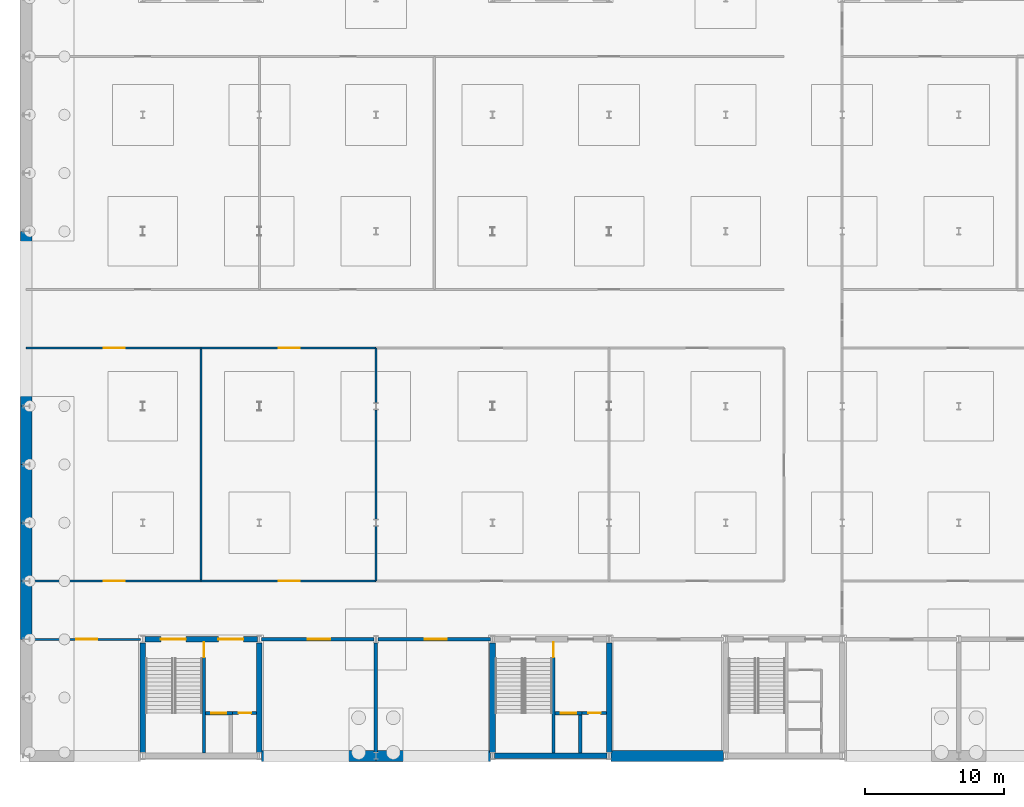
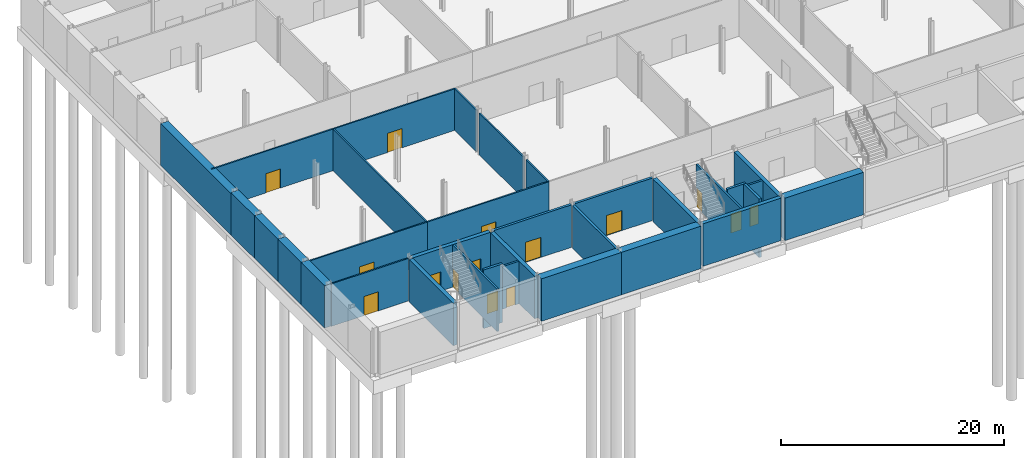
# One storey, part 12 of 22: 33 walls, 15 doors, 15 openings.
"""IFC4 building model written with IfcOpenShell, lengths in metres."""

from ifc_helpers import new_model, si_unit, direction, frame, frame_2d, origin, place, context, subcontext, project, spatial, rectangle, extrude, material, layer, layer_set, type_object, element, fill, save


model = new_model("IFC4")

# Units and contexts
model_context = context("Model", 3, precision=1e-05, world=origin(), true_north=direction((0.0, 1.0)))
body_context = subcontext(model_context, "Body", "Model", "MODEL_VIEW")
ifc_project = project(units=[si_unit("LENGTHUNIT", "METRE"), si_unit("AREAUNIT", "SQUARE_METRE"), si_unit("VOLUMEUNIT", "CUBIC_METRE"), si_unit("PLANEANGLEUNIT", "RADIAN"), si_unit("MASSUNIT", "GRAM", prefix="KILO")], contexts=[model_context])

# Site, building, storey
site_placement = place(None, origin())
site = spatial("IfcSite", under=ifc_project, at=site_placement, CompositionType="ELEMENT")
building_placement = place(site_placement, origin())
building = spatial("IfcBuilding", under=site, at=building_placement, Name="Galleria Vessillo Department Store", CompositionType="ELEMENT")
storey_placement = place(building_placement, frame((0.0, 0.0, -9.89990234375)))
storey = spatial("IfcBuildingStorey", under=building, at=storey_placement, Name="B2", CompositionType="ELEMENT", Elevation=-9.89990234375)

# Walls
ifc_material_1 = material(Name="Concrete C32/40 reinforced", Category="concrete")
ifc_layer_1 = layer(ifc_material_1, 0.800048828125)
ifc_layer_set_1 = layer_set([ifc_layer_1], Name="Concrete C32/40 reinforced")
wall_type_1 = type_object("IfcWallType", Name="Diaphragm wall 800 mm", PredefinedType="SOLIDWALL", material=ifc_layer_set_1)
wall_1_placement = place(storey_placement, frame((16.949951171875, 0.0, 0.0), z_axis=(0.0, 0.0, 1.0), x_axis=(1.0, 0.0, 0.0)))
element("IfcWall", 1, at=wall_1_placement, inside=storey, type_object=wall_type_1, Name="S-BW-S-B2-02", PredefinedType="SOLIDWALL", context=body_context, shape_type="SweptSolid", body=[
    extrude(rectangle(XDim=8.25, YDim=0.800048828125, at=frame_2d((4.125, 0.0))), origin(), (0.0, 0.0, 1.0), 4.64990234375),
])
wall_2_placement = place(storey_placement, frame((25.199951171875, 0.0, 0.0), z_axis=(0.0, 0.0, 1.0), x_axis=(1.0, 0.0, 0.0)))
element("IfcWall", 2, at=wall_2_placement, inside=storey, type_object=wall_type_1, Name="S-BW-S-B2-03", PredefinedType="SOLIDWALL", context=body_context, shape_type="SweptSolid", body=[
    extrude(rectangle(XDim=8.250244140625, YDim=0.800048828125, at=frame_2d((4.125, 0.0))), origin(), (0.0, 0.0, 1.0), 4.64990234375),
])
wall_3_placement = place(storey_placement, frame((42.14990234375, 0.0, 0.0), z_axis=(0.0, 0.0, 1.0), x_axis=(1.0, 0.0, 0.0)))
element("IfcWall", 3, at=wall_3_placement, inside=storey, type_object=wall_type_1, Name="S-BW-S-B2-04", PredefinedType="SOLIDWALL", context=body_context, shape_type="SweptSolid", body=[
    extrude(rectangle(XDim=8.10009765625, YDim=0.800048828125, at=frame_2d((4.050048828125, 0.0))), origin(), (0.0, 0.0, 1.0), 4.64990234375),
])
wall_4_placement = place(storey_placement, frame((0.0, 8.39990234375, 0.0), z_axis=(0.0, 0.0, 1.0), x_axis=(0.0, 1.0, 0.0)))
element("IfcWall", 4, at=wall_4_placement, inside=storey, type_object=wall_type_1, Name="S-BW-W-B2-03", PredefinedType="SOLIDWALL", context=body_context, shape_type="SweptSolid", body=[
    extrude(rectangle(XDim=4.2001953125, YDim=0.800048828125, at=frame_2d((2.10009765625, 0.0))), origin(), (0.0, 0.0, 1.0), 4.64990234375),
])
for number, where, z_axis, x_axis, name in (
    (5, (0.0, 12.60009765625, 0.0), (0.0, 0.0, 1.0), (0.0, 1.0, 0.0), "S-BW-W-B2-04"),
    (6, (0.0, 16.800048828125, 0.0), (0.0, 0.0, 1.0), (0.0, 1.0, 0.0), "S-BW-W-B2-05"),
    (7, (0.0, 21.0, 0.0), (0.0, 0.0, 1.0), (0.0, 1.0, 0.0), "S-BW-W-B2-06"),
):
    element("IfcWall", number, at=place(storey_placement, frame(where, z_axis=z_axis, x_axis=x_axis)), inside=storey, type_object=wall_type_1, Name=name, PredefinedType="SOLIDWALL", context=body_context, shape_type="SweptSolid", body=[
        extrude(rectangle(XDim=4.199951171875, YDim=0.800048828125, at=frame_2d((2.10009765625, 0.0))), origin(), (0.0, 0.0, 1.0), 4.64990234375),
    ])
wall_5_placement = place(storey_placement, frame((0.0, 25.199951171875, 0.0), z_axis=(0.0, 0.0, 1.0), x_axis=(0.0, 1.0, 0.0)))
element("IfcWall", 8, at=wall_5_placement, inside=storey, type_object=wall_type_1, Name="S-BW-W-B2-07", PredefinedType="SOLIDWALL", context=body_context, shape_type="SweptSolid", body=[
    extrude(rectangle(XDim=12.60009765625, YDim=0.800048828125, at=frame_2d((6.300048828125, 0.0))), origin(), (0.0, 0.0, 1.0), 4.550048828125),
])

# Wall, opening, door
ifc_material_2 = material(Name="Solid clay block masonry", Category="masonry")
ifc_layer_2 = layer(ifc_material_2, 0.25)
ifc_layer_set_2 = layer_set([ifc_layer_2], Name="Solid clay block masonry")
wall_type_2 = type_object("IfcWallType", Name="Lift shaft wall 250 mm", PredefinedType="SOLIDWALL", material=ifc_layer_set_2)
wall_6_placement = place(storey_placement, frame((12.89990234375, 3.074951171875, -1.400146484375), z_axis=(0.0, 0.0, 1.0), x_axis=(1.0, 0.0, 0.0)))
wall_6 = element("IfcWall", 9, at=wall_6_placement, inside=storey, type_object=wall_type_2, Name="Lift shaft wall LP1 landing side B2", PredefinedType="SOLIDWALL", context=body_context, shape_type="SweptSolid", body=[
    extrude(rectangle(XDim=1.9501953125, YDim=0.25, at=frame_2d((0.97509765625, 0.0))), origin(), (0.0, 0.0, 1.0), 6.400146484375),
])
opening_1_placement = place(wall_6_placement, frame((0.425048828125, 0.0, 1.400146484375)))
opening_1 = element("IfcOpeningElement", 10, at=opening_1_placement, cuts=wall_6, Name="Opening LD001", PredefinedType="OPENING", context=body_context, shape_type="SweptSolid", body=[
    extrude(rectangle(XDim=1.10009765625, YDim=2.10009765625, at=frame_2d((0.550048828125, 1.050048828125))), frame((0.0, 0.135009765625, 0.0), z_axis=(0.0, -1.0, 0.0), x_axis=(1.0, 0.0, 0.0)), (0.0, 0.0, 1.0), 0.27001953125),
])
ifc_material_3 = material(Name="Stainless steel lift door panel", Category="steel")
door_type_1 = type_object("IfcDoorType", Name="Lift landing door LD110 sliding 1100 x 2100", OperationType="SLIDING_TO_LEFT", PredefinedType="DOOR", material=ifc_material_3)
door_1_placement = place(opening_1_placement, origin())
door_1 = element("IfcDoor", 11, at=door_1_placement, inside=storey, type_object=door_type_1, Name="Lift landing door LP1 B2", OperationType="SLIDING_TO_LEFT", OverallHeight=2.10009765625, OverallWidth=1.10009765625, PredefinedType="DOOR", context=body_context, shape_type="SweptSolid", body=[
    extrude(rectangle(XDim=1.10009765625, YDim=2.10009765625, at=frame_2d((0.550048828125, 1.050048828125))), frame((0.0, 0.02490234375, 0.0), z_axis=(0.0, -1.0, 0.0), x_axis=(1.0, 0.0, 0.0)), (0.0, 0.0, 1.0), 0.050048828125),
])
fill(opening_1, door_1)

wall_7_placement = place(storey_placement, frame((38.10009765625, 3.074951171875, -1.400146484375), z_axis=(0.0, 0.0, 1.0), x_axis=(1.0, 0.0, 0.0)))
wall_7 = element("IfcWall", 12, at=wall_7_placement, inside=storey, type_object=wall_type_2, Name="Lift shaft wall LP3 landing side B2", PredefinedType="SOLIDWALL", context=body_context, shape_type="SweptSolid", body=[
    extrude(rectangle(XDim=1.949951171875, YDim=0.25, at=frame_2d((0.97509765625, 0.0))), origin(), (0.0, 0.0, 1.0), 6.400146484375),
])
opening_2_placement = place(wall_7_placement, frame((0.4248046875, 0.0, 1.400146484375)))
opening_2 = element("IfcOpeningElement", 13, at=opening_2_placement, cuts=wall_7, Name="Opening LD017", PredefinedType="OPENING", context=body_context, shape_type="SweptSolid", body=[
    extrude(rectangle(XDim=1.10009765625, YDim=2.10009765625, at=frame_2d((0.550048828125, 1.050048828125))), frame((0.0, 0.135009765625, 0.0), z_axis=(0.0, -1.0, 0.0), x_axis=(1.0, 0.0, 0.0)), (0.0, 0.0, 1.0), 0.27001953125),
])
door_2_placement = place(opening_2_placement, origin())
door_2 = element("IfcDoor", 14, at=door_2_placement, inside=storey, type_object=door_type_1, Name="Lift landing door LP3 B2", OperationType="SLIDING_TO_LEFT", OverallHeight=2.10009765625, OverallWidth=1.10009765625, PredefinedType="DOOR", context=body_context, shape_type="SweptSolid", body=[
    extrude(rectangle(XDim=1.10009765625, YDim=2.10009765625, at=frame_2d((0.550048828125, 1.050048828125))), frame((0.0, 0.02490234375, 0.0), z_axis=(0.0, -1.0, 0.0), x_axis=(1.0, 0.0, 0.0)), (0.0, 0.0, 1.0), 0.050048828125),
])
fill(opening_2, door_2)

# Wall
wall_8_placement = place(storey_placement, frame((39.925048828125, 0.199951171875, -1.400146484375), z_axis=(0.0, 0.0, 1.0), x_axis=(0.0, 1.0, 0.0)))
element("IfcWall", 15, at=wall_8_placement, inside=storey, type_object=wall_type_2, Name="Lift shaft wall LP3 B2", PredefinedType="SOLIDWALL", context=body_context, shape_type="SweptSolid", body=[
    extrude(rectangle(XDim=2.75, YDim=0.25, at=frame_2d((1.375, 0.0))), origin(), (0.0, 0.0, 1.0), 6.400146484375),
])

# Wall, opening, door
ifc_material_4 = material(Name="Brick masonry", Category="masonry")
ifc_layer_3 = layer(ifc_material_4, 0.25)
ifc_layer_set_3 = layer_set([ifc_layer_3], Name="Brick masonry")
wall_type_3 = type_object("IfcWallType", Name="Plant room masonry wall 250 mm", PredefinedType="SOLIDWALL", material=ifc_layer_set_3)
wall_9_placement = place(storey_placement, frame((16.949951171875, 8.39990234375, 0.0), z_axis=(0.0, 0.0, 1.0), x_axis=(1.0, 0.0, 0.0)))
wall_9 = element("IfcWall", 16, at=wall_9_placement, inside=storey, type_object=wall_type_3, Name="Partition wall PT10 on B2 no. 015", PredefinedType="SOLIDWALL", context=body_context, shape_type="SweptSolid", body=[
    extrude(rectangle(XDim=8.10009765625, YDim=0.25, at=frame_2d((4.050048828125, 0.0))), origin(), (0.0, 0.0, 1.0), 4.64990234375),
])
opening_3_placement = place(wall_9_placement, frame((3.35009765625, 0.0, 0.0)))
opening_3 = element("IfcOpeningElement", 17, at=opening_3_placement, cuts=wall_9, Name="Opening D2010", PredefinedType="OPENING", context=body_context, shape_type="SweptSolid", body=[
    extrude(rectangle(XDim=1.60009765625, YDim=2.199951171875, at=frame_2d((0.800048828125, 1.10009765625))), frame((0.0, 0.135009765625, 0.0), z_axis=(0.0, -1.0, 0.0), x_axis=(1.0, 0.0, 0.0)), (0.0, 0.0, 1.0), 0.27001953125),
])
ifc_material_5 = material(Name="Steel fire door leaf", Category="steel")
door_type_2 = type_object("IfcDoorType", Name="Plant room fire door 1600 x 2200 double leaf", OperationType="DOUBLE_DOOR_SINGLE_SWING", PredefinedType="DOOR", material=ifc_material_5)
door_3_placement = place(opening_3_placement, frame((1.60009765625, 0.0, 0.0), z_axis=(0.0, 0.0, 1.0), x_axis=(-1.0, 0.0, 0.0)))
door_3 = element("IfcDoor", 18, at=door_3_placement, inside=storey, type_object=door_type_2, Name="Door D2010", OperationType="DOUBLE_DOOR_SINGLE_SWING", OverallHeight=2.199951171875, OverallWidth=1.60009765625, PredefinedType="DOOR", context=body_context, shape_type="SweptSolid", body=[
    extrude(rectangle(XDim=1.60009765625, YDim=2.199951171875, at=frame_2d((0.800048828125, 1.10009765625))), frame((0.0, 0.02490234375, 0.0), z_axis=(0.0, -1.0, 0.0), x_axis=(1.0, 0.0, 0.0)), (0.0, 0.0, 1.0), 0.050048828125),
])
fill(opening_3, door_3)

wall_10_placement = place(storey_placement, frame((25.349853515625, 8.39990234375, 0.0), z_axis=(0.0, 0.0, 1.0), x_axis=(1.0, 0.0, 0.0)))
wall_10 = element("IfcWall", 19, at=wall_10_placement, inside=storey, type_object=wall_type_3, Name="Partition wall PT10 on B2 no. 016", PredefinedType="SOLIDWALL", context=body_context, shape_type="SweptSolid", body=[
    extrude(rectangle(XDim=8.100341796875, YDim=0.25, at=frame_2d((4.05029296875, 0.0))), origin(), (0.0, 0.0, 1.0), 4.64990234375),
])
opening_4_placement = place(wall_10_placement, frame((3.35009765625, 0.0, 0.0)))
opening_4 = element("IfcOpeningElement", 20, at=opening_4_placement, cuts=wall_10, Name="Opening D2011", PredefinedType="OPENING", context=body_context, shape_type="SweptSolid", body=[
    extrude(rectangle(XDim=1.60009765625, YDim=2.199951171875, at=frame_2d((0.800048828125, 1.10009765625))), frame((0.0, 0.135009765625, 0.0), z_axis=(0.0, -1.0, 0.0), x_axis=(1.0, 0.0, 0.0)), (0.0, 0.0, 1.0), 0.27001953125),
])
door_4_placement = place(opening_4_placement, frame((1.60009765625, 0.0, 0.0), z_axis=(0.0, 0.0, 1.0), x_axis=(-1.0, 0.0, 0.0)))
door_4 = element("IfcDoor", 21, at=door_4_placement, inside=storey, type_object=door_type_2, Name="Door D2011", OperationType="DOUBLE_DOOR_SINGLE_SWING", OverallHeight=2.199951171875, OverallWidth=1.60009765625, PredefinedType="DOOR", context=body_context, shape_type="SweptSolid", body=[
    extrude(rectangle(XDim=1.60009765625, YDim=2.199951171875, at=frame_2d((0.800048828125, 1.10009765625))), frame((0.0, 0.02490234375, 0.0), z_axis=(0.0, -1.0, 0.0), x_axis=(1.0, 0.0, 0.0)), (0.0, 0.0, 1.0), 0.050048828125),
])
fill(opening_4, door_4)

# Wall
wall_11_placement = place(storey_placement, frame((25.199951171875, 0.25, 0.0), z_axis=(0.0, 0.0, 1.0), x_axis=(0.0, 1.0, 0.0)))
element("IfcWall", 22, at=wall_11_placement, inside=storey, type_object=wall_type_3, Name="Partition wall PT10 on B2 no. 071", PredefinedType="SOLIDWALL", context=body_context, shape_type="SweptSolid", body=[
    extrude(rectangle(XDim=7.89990234375, YDim=0.25, at=frame_2d((3.949951171875, 0.0))), origin(), (0.0, 0.0, 1.0), 4.64990234375),
])

# Wall, openings, doors
ifc_material_6 = material(Name="Concrete C32/40 reinforced", Category="concrete")
ifc_layer_4 = layer(ifc_material_6, 0.39990234375)
ifc_layer_set_4 = layer_set([ifc_layer_4], Name="Concrete C32/40 reinforced")
wall_type_4 = type_object("IfcWallType", Name="Reinforced concrete core wall 400 mm", PredefinedType="SHEAR", material=ifc_layer_set_4)
wall_12_placement = place(storey_placement, frame((8.5498046875, 8.39990234375, 0.0), z_axis=(0.0, 0.0, 1.0), x_axis=(1.0, 0.0, 0.0)))
wall_12 = element("IfcWall", 23, at=wall_12_placement, inside=storey, type_object=wall_type_4, Name="S-CW-PC-SW-INTERIOR-B2", PredefinedType="SHEAR", context=body_context, shape_type="SweptSolid", body=[
    extrude(rectangle(XDim=8.100341796875, YDim=0.39990234375, at=frame_2d((4.05029296875, 0.0))), origin(), (0.0, 0.0, 1.0), 4.64990234375),
])
opening_5_placement = place(wall_12_placement, frame((1.150146484375, 0.0, 0.0)))
opening_5 = element("IfcOpeningElement", 24, at=opening_5_placement, cuts=wall_12, Name="Opening D5003", PredefinedType="OPENING", context=body_context, shape_type="SweptSolid", body=[
    extrude(rectangle(XDim=1.800048828125, YDim=2.10009765625, at=frame_2d((0.89990234375, 1.050048828125))), frame((0.0, 0.2099609375, 0.0), z_axis=(0.0, -1.0, 0.0), x_axis=(1.0, 0.0, 0.0)), (0.0, 0.0, 1.0), 0.419921875),
])
opening_6_placement = place(wall_12_placement, frame((5.300048828125, 0.0, 0.0)))
opening_6 = element("IfcOpeningElement", 25, at=opening_6_placement, cuts=wall_12, Name="Opening D5004", PredefinedType="OPENING", context=body_context, shape_type="SweptSolid", body=[
    extrude(rectangle(XDim=1.800048828125, YDim=2.10009765625, at=frame_2d((0.89990234375, 1.050048828125))), frame((0.0, 0.2099609375, 0.0), z_axis=(0.0, -1.0, 0.0), x_axis=(1.0, 0.0, 0.0)), (0.0, 0.0, 1.0), 0.419921875),
])
ifc_material_7 = material(Name="Fire-rated steel door leaf", Category="steel")
door_type_3 = type_object("IfcDoorType", Name="Door D180F double leaf 1800 x 2100", OperationType="DOUBLE_DOOR_SINGLE_SWING", PredefinedType="DOOR", material=ifc_material_7)
door_5_placement = place(opening_5_placement, frame((1.800048828125, 0.0, 0.0), z_axis=(0.0, 0.0, 1.0), x_axis=(-1.0, 0.0, 0.0)))
door_5 = element("IfcDoor", 26, at=door_5_placement, inside=storey, type_object=door_type_3, Name="Lobby door PC-SW-ST-FLOOR B2", OperationType="DOUBLE_DOOR_SINGLE_SWING", OverallHeight=2.10009765625, OverallWidth=1.800048828125, PredefinedType="DOOR", context=body_context, shape_type="SweptSolid", body=[
    extrude(rectangle(XDim=1.800048828125, YDim=2.10009765625, at=frame_2d((0.89990234375, 1.050048828125))), frame((0.0, 0.02490234375, 0.0), z_axis=(0.0, -1.0, 0.0), x_axis=(1.0, 0.0, 0.0)), (0.0, 0.0, 1.0), 0.050048828125),
])
fill(opening_5, door_5)
door_6_placement = place(opening_6_placement, origin())
door_6 = element("IfcDoor", 27, at=door_6_placement, inside=storey, type_object=door_type_3, Name="Lobby door PC-SW-LOBBY-FLOOR B2", OperationType="DOUBLE_DOOR_SINGLE_SWING", OverallHeight=2.10009765625, OverallWidth=1.800048828125, PredefinedType="DOOR", context=body_context, shape_type="SweptSolid", body=[
    extrude(rectangle(XDim=1.800048828125, YDim=2.10009765625, at=frame_2d((0.89990234375, 1.050048828125))), frame((0.0, 0.02490234375, 0.0), z_axis=(0.0, -1.0, 0.0), x_axis=(1.0, 0.0, 0.0)), (0.0, 0.0, 1.0), 0.050048828125),
])
fill(opening_6, door_6)

# Walls
for number, where, z_axis, x_axis, name in (
    (28, (16.800048828125, 0.25, 0.0), (0.0, 0.0, 1.0), (0.0, 1.0, 0.0), "S-CW-PC-SW-EAST-B2"),
    (29, (33.60009765625, 0.25, 0.0), (0.0, 0.0, 1.0), (0.0, 1.0, 0.0), "S-CW-PC-SM-WEST-B2"),
    (30, (42.0, 0.25, 0.0), (0.0, 0.0, 1.0), (0.0, 1.0, 0.0), "S-CW-PC-SM-EAST-B2"),
):
    element("IfcWall", number, at=place(storey_placement, frame(where, z_axis=z_axis, x_axis=x_axis)), inside=storey, type_object=wall_type_4, Name=name, PredefinedType="SHEAR", context=body_context, shape_type="SweptSolid", body=[
        extrude(rectangle(XDim=7.89990234375, YDim=0.39990234375, at=frame_2d((3.949951171875, 0.0))), origin(), (0.0, 0.0, 1.0), 4.64990234375),
    ])
ifc_material_8 = material(Name="Concrete C32/40 reinforced", Category="concrete")
ifc_layer_5 = layer(ifc_material_8, 0.39990234375)
ifc_layer_set_5 = layer_set([ifc_layer_5], Name="Concrete C32/40 reinforced")
wall_type_5 = type_object("IfcWallType", Name="Reinforced concrete core wall 400 mm, external", PredefinedType="SHEAR", material=ifc_layer_set_5)
wall_13_placement = place(storey_placement, frame((8.39990234375, 0.25, 0.0), z_axis=(0.0, 0.0, 1.0), x_axis=(0.0, 1.0, 0.0)))
element("IfcWall", 31, at=wall_13_placement, inside=storey, type_object=wall_type_5, Name="S-CW-PC-SW-WEST-B2", PredefinedType="SHEAR", context=body_context, shape_type="SweptSolid", body=[
    extrude(rectangle(XDim=7.89990234375, YDim=0.39990234375, at=frame_2d((3.949951171875, 0.0))), origin(), (0.0, 0.0, 1.0), 4.64990234375),
])
wall_14_placement = place(storey_placement, frame((33.75, 0.0, 0.0), z_axis=(0.0, 0.0, 1.0), x_axis=(1.0, 0.0, 0.0)))
element("IfcWall", 32, at=wall_14_placement, inside=storey, type_object=wall_type_5, Name="S-CW-PC-SM-PARTY-B2", PredefinedType="SHEAR", context=body_context, shape_type="SweptSolid", body=[
    extrude(rectangle(XDim=8.10009765625, YDim=0.39990234375, at=frame_2d((4.050048828125, 0.0))), origin(), (0.0, 0.0, 1.0), 4.64990234375),
])

# Wall, opening, door
ifc_material_9 = material(Name="Concrete C32/40 reinforced", Category="concrete")
ifc_layer_6 = layer(ifc_material_9, 0.199951171875)
ifc_layer_set_6 = layer_set([ifc_layer_6], Name="Concrete C32/40 reinforced")
wall_type_6 = type_object("IfcWallType", Name="Reinforced concrete stair enclosure wall 200 mm", PredefinedType="SHEAR", material=ifc_layer_set_6)
wall_15_placement = place(storey_placement, frame((12.7998046875, 0.199951171875, 0.0), z_axis=(0.0, 0.0, 1.0), x_axis=(0.0, 1.0, 0.0)))
wall_15 = element("IfcWall", 33, at=wall_15_placement, inside=storey, type_object=wall_type_6, Name="Stair enclosure wall PC-SW B2", PredefinedType="SHEAR", context=body_context, shape_type="SweptSolid", body=[
    extrude(rectangle(XDim=8.0, YDim=0.199951171875, at=frame_2d((4.0, 0.0))), origin(), (0.0, 0.0, 1.0), 4.64990234375),
])
opening_7_placement = place(wall_15_placement, frame((6.89990234375, 0.0, 0.0)))
opening_7 = element("IfcOpeningElement", 34, at=opening_7_placement, cuts=wall_15, Name="Opening D5001", PredefinedType="OPENING", context=body_context, shape_type="SweptSolid", body=[
    extrude(rectangle(XDim=1.11009765625, YDim=2.10009765625, at=frame_2d((0.554931640625, 1.050048828125))), frame((0.0, 0.10986328125, 0.0), z_axis=(0.0, -1.0, 0.0), x_axis=(1.0, 0.0, 0.0)), (0.0, 0.0, 1.0), 0.219970703125),
])
ifc_material_10 = material(Name="Fire-rated steel door leaf", Category="steel")
door_type_4 = type_object("IfcDoorType", Name="Door D110F stair door 1100 x 2100", OperationType="SINGLE_SWING_LEFT", PredefinedType="DOOR", material=ifc_material_10)
door_7_placement = place(opening_7_placement, origin())
door_7 = element("IfcDoor", 35, at=door_7_placement, inside=storey, type_object=door_type_4, Name="Stair door PC-SW-ST-LOBBY B2", OperationType="SINGLE_SWING_RIGHT", OverallHeight=2.10009765625, OverallWidth=1.10009765625, PredefinedType="DOOR", context=body_context, shape_type="SweptSolid", body=[
    extrude(rectangle(XDim=1.10009765625, YDim=2.10009765625, at=frame_2d((0.550048828125, 1.050048828125))), frame((0.0, 0.02490234375, 0.0), z_axis=(0.0, -1.0, 0.0), x_axis=(1.0, 0.0, 0.0)), (0.0, 0.0, 1.0), 0.050048828125),
])
fill(opening_7, door_7)

wall_16_placement = place(storey_placement, frame((38.0, 0.199951171875, 0.0), z_axis=(0.0, 0.0, 1.0), x_axis=(0.0, 1.0, 0.0)))
wall_16 = element("IfcWall", 36, at=wall_16_placement, inside=storey, type_object=wall_type_6, Name="Stair enclosure wall PC-SM B2", PredefinedType="SHEAR", context=body_context, shape_type="SweptSolid", body=[
    extrude(rectangle(XDim=8.0, YDim=0.199951171875, at=frame_2d((4.0, 0.0))), origin(), (0.0, 0.0, 1.0), 4.64990234375),
])
opening_8_placement = place(wall_16_placement, frame((6.89990234375, 0.0, 0.0)))
opening_8 = element("IfcOpeningElement", 37, at=opening_8_placement, cuts=wall_16, Name="Opening D5065", PredefinedType="OPENING", context=body_context, shape_type="SweptSolid", body=[
    extrude(rectangle(XDim=1.11009765625, YDim=2.10009765625, at=frame_2d((0.554931640625, 1.050048828125))), frame((0.0, 0.10986328125, 0.0), z_axis=(0.0, -1.0, 0.0), x_axis=(1.0, 0.0, 0.0)), (0.0, 0.0, 1.0), 0.219970703125),
])
door_8_placement = place(opening_8_placement, origin())
door_8 = element("IfcDoor", 38, at=door_8_placement, inside=storey, type_object=door_type_4, Name="Stair door PC-SM-ST-LOBBY B2", OperationType="SINGLE_SWING_RIGHT", OverallHeight=2.10009765625, OverallWidth=1.10009765625, PredefinedType="DOOR", context=body_context, shape_type="SweptSolid", body=[
    extrude(rectangle(XDim=1.10009765625, YDim=2.10009765625, at=frame_2d((0.550048828125, 1.050048828125))), frame((0.0, 0.02490234375, 0.0), z_axis=(0.0, -1.0, 0.0), x_axis=(1.0, 0.0, 0.0)), (0.0, 0.0, 1.0), 0.050048828125),
])
fill(opening_8, door_8)

ifc_material_11 = material(Name="Hollow clay block masonry", Category="masonry")
ifc_layer_7 = layer(ifc_material_11, 0.199951171875)
ifc_layer_set_7 = layer_set([ifc_layer_7], Name="Hollow clay block masonry")
wall_type_7 = type_object("IfcWallType", Name="Riser and service room wall 200 mm", PredefinedType="PARTITIONING", material=ifc_layer_set_7)
wall_17_placement = place(storey_placement, frame((14.85009765625, 3.099853515625, 0.0), z_axis=(0.0, 0.0, 1.0), x_axis=(1.0, 0.0, 0.0)))
wall_17 = element("IfcWall", 39, at=wall_17_placement, inside=storey, type_object=wall_type_7, Name="Riser wall PC-SW-RISER B2", PredefinedType="PARTITIONING", context=body_context, shape_type="SweptSolid", body=[
    extrude(rectangle(XDim=1.75, YDim=0.199951171875, at=frame_2d((0.875, 0.0))), origin(), (0.0, 0.0, 1.0), 4.64990234375),
])
opening_9_placement = place(wall_17_placement, frame((0.449951171875, 0.0, 0.0)))
opening_9 = element("IfcOpeningElement", 40, at=opening_9_placement, cuts=wall_17, Name="Opening D5002", PredefinedType="OPENING", context=body_context, shape_type="SweptSolid", body=[
    extrude(rectangle(XDim=0.89990234375, YDim=2.10009765625, at=frame_2d((0.449951171875, 1.050048828125))), frame((0.0, 0.10986328125, 0.0), z_axis=(0.0, -1.0, 0.0), x_axis=(1.0, 0.0, 0.0)), (0.0, 0.0, 1.0), 0.219970703125),
])
ifc_material_12 = material(Name="Fire-rated steel door leaf", Category="steel")
door_type_5 = type_object("IfcDoorType", Name="Door DR90 riser access 900 x 2100", OperationType="SINGLE_SWING_LEFT", PredefinedType="DOOR", material=ifc_material_12)
door_9_placement = place(opening_9_placement, frame((0.89990234375, 0.0, 0.0), z_axis=(0.0, 0.0, 1.0), x_axis=(-1.0, 0.0, 0.0)))
door_9 = element("IfcDoor", 41, at=door_9_placement, inside=storey, type_object=door_type_5, Name="Riser door PC-SW-RISER-D B2", OperationType="SINGLE_SWING_LEFT", OverallHeight=2.10009765625, OverallWidth=0.89990234375, PredefinedType="DOOR", context=body_context, shape_type="SweptSolid", body=[
    extrude(rectangle(XDim=0.89990234375, YDim=2.10009765625, at=frame_2d((0.449951171875, 1.050048828125))), frame((0.0, 0.02490234375, 0.0), z_axis=(0.0, -1.0, 0.0), x_axis=(1.0, 0.0, 0.0)), (0.0, 0.0, 1.0), 0.050048828125),
])
fill(opening_9, door_9)

wall_18_placement = place(storey_placement, frame((40.050048828125, 3.099853515625, 0.0), z_axis=(0.0, 0.0, 1.0), x_axis=(1.0, 0.0, 0.0)))
wall_18 = element("IfcWall", 42, at=wall_18_placement, inside=storey, type_object=wall_type_7, Name="Riser wall PC-SM-RISER B2", PredefinedType="PARTITIONING", context=body_context, shape_type="SweptSolid", body=[
    extrude(rectangle(XDim=1.75, YDim=0.199951171875, at=frame_2d((0.875, 0.0))), origin(), (0.0, 0.0, 1.0), 4.64990234375),
])
opening_10_placement = place(wall_18_placement, frame((0.449951171875, 0.0, 0.0)))
opening_10 = element("IfcOpeningElement", 43, at=opening_10_placement, cuts=wall_18, Name="Opening D5066", PredefinedType="OPENING", context=body_context, shape_type="SweptSolid", body=[
    extrude(rectangle(XDim=0.89990234375, YDim=2.10009765625, at=frame_2d((0.449951171875, 1.050048828125))), frame((0.0, 0.10986328125, 0.0), z_axis=(0.0, -1.0, 0.0), x_axis=(1.0, 0.0, 0.0)), (0.0, 0.0, 1.0), 0.219970703125),
])
door_10_placement = place(opening_10_placement, frame((0.89990234375, 0.0, 0.0), z_axis=(0.0, 0.0, 1.0), x_axis=(-1.0, 0.0, 0.0)))
door_10 = element("IfcDoor", 44, at=door_10_placement, inside=storey, type_object=door_type_5, Name="Riser door PC-SM-RISER-D B2", OperationType="SINGLE_SWING_LEFT", OverallHeight=2.10009765625, OverallWidth=0.89990234375, PredefinedType="DOOR", context=body_context, shape_type="SweptSolid", body=[
    extrude(rectangle(XDim=0.89990234375, YDim=2.10009765625, at=frame_2d((0.449951171875, 1.050048828125))), frame((0.0, 0.02490234375, 0.0), z_axis=(0.0, -1.0, 0.0), x_axis=(1.0, 0.0, 0.0)), (0.0, 0.0, 1.0), 0.050048828125),
])
fill(opening_10, door_10)

ifc_material_13 = material(Name="Concrete blockwork", Category="masonry")
ifc_layer_8 = layer(ifc_material_13, 0.14990234375)
ifc_layer_set_8 = layer_set([ifc_layer_8], Name="Concrete blockwork")
wall_type_8 = type_object("IfcWallType", Name="Stockroom blockwork wall 150 mm", PredefinedType="SOLIDWALL", material=ifc_layer_set_8)
wall_19_placement = place(storey_placement, frame((0.25, 8.39990234375, 0.0), z_axis=(0.0, 0.0, 1.0), x_axis=(1.0, 0.0, 0.0)))
wall_19 = element("IfcWall", 45, at=wall_19_placement, inside=storey, type_object=wall_type_8, Name="Partition wall PT4 on B2 no. 014", PredefinedType="SOLIDWALL", context=body_context, shape_type="SweptSolid", body=[
    extrude(rectangle(XDim=8.0, YDim=0.14990234375, at=frame_2d((4.0, 0.0))), origin(), (0.0, 0.0, 1.0), 4.64990234375),
])
opening_11_placement = place(wall_19_placement, frame((3.35009765625, 0.0, 0.0)))
opening_11 = element("IfcOpeningElement", 46, at=opening_11_placement, cuts=wall_19, Name="Opening D2009", PredefinedType="OPENING", context=body_context, shape_type="SweptSolid", body=[
    extrude(rectangle(XDim=1.5, YDim=2.10009765625, at=frame_2d((0.75, 1.050048828125))), frame((0.0, 0.0849609375, 0.0), z_axis=(0.0, -1.0, 0.0), x_axis=(1.0, 0.0, 0.0)), (0.0, 0.0, 1.0), 0.169921875),
])
ifc_material_14 = material(Name="Steel fire door leaf", Category="steel")
door_type_6 = type_object("IfcDoorType", Name="Stockroom fire door 1500 double leaf", OperationType="DOUBLE_DOOR_SINGLE_SWING", PredefinedType="DOOR", material=ifc_material_14)
door_11_placement = place(opening_11_placement, frame((1.5, 0.0, 0.0), z_axis=(0.0, 0.0, 1.0), x_axis=(-1.0, 0.0, 0.0)))
door_11 = element("IfcDoor", 47, at=door_11_placement, inside=storey, type_object=door_type_6, Name="Door D2009", OperationType="DOUBLE_DOOR_SINGLE_SWING", OverallHeight=2.10009765625, OverallWidth=1.5, PredefinedType="DOOR", context=body_context, shape_type="SweptSolid", body=[
    extrude(rectangle(XDim=1.5, YDim=2.10009765625, at=frame_2d((0.75, 1.050048828125))), frame((0.0, 0.02490234375, 0.0), z_axis=(0.0, -1.0, 0.0), x_axis=(1.0, 0.0, 0.0)), (0.0, 0.0, 1.0), 0.050048828125),
])
fill(opening_11, door_11)

wall_20_placement = place(storey_placement, frame((0.25, 12.60009765625, 0.0), z_axis=(0.0, 0.0, 1.0), x_axis=(1.0, 0.0, 0.0)))
wall_20 = element("IfcWall", 48, at=wall_20_placement, inside=storey, type_object=wall_type_8, Name="Partition wall PT4 on B2 no. 018", PredefinedType="SOLIDWALL", context=body_context, shape_type="SweptSolid", body=[
    extrude(rectangle(XDim=12.35009765625, YDim=0.14990234375, at=frame_2d((6.175048828125, 0.0))), origin(), (0.0, 0.0, 1.0), 4.550048828125),
])
opening_12_placement = place(wall_20_placement, frame((5.35009765625, 0.0, 0.0)))
opening_12 = element("IfcOpeningElement", 49, at=opening_12_placement, cuts=wall_20, Name="Opening D2013", PredefinedType="OPENING", context=body_context, shape_type="SweptSolid", body=[
    extrude(rectangle(XDim=1.5, YDim=2.10009765625, at=frame_2d((0.75, 1.050048828125))), frame((0.0, 0.0849609375, 0.0), z_axis=(0.0, -1.0, 0.0), x_axis=(1.0, 0.0, 0.0)), (0.0, 0.0, 1.0), 0.169921875),
])
door_12_placement = place(opening_12_placement, origin())
door_12 = element("IfcDoor", 50, at=door_12_placement, inside=storey, type_object=door_type_6, Name="Door D2013", OperationType="DOUBLE_DOOR_SINGLE_SWING", OverallHeight=2.10009765625, OverallWidth=1.5, PredefinedType="DOOR", context=body_context, shape_type="SweptSolid", body=[
    extrude(rectangle(XDim=1.5, YDim=2.10009765625, at=frame_2d((0.75, 1.050048828125))), frame((0.0, 0.02490234375, 0.0), z_axis=(0.0, -1.0, 0.0), x_axis=(1.0, 0.0, 0.0)), (0.0, 0.0, 1.0), 0.050048828125),
])
fill(opening_12, door_12)

wall_21_placement = place(storey_placement, frame((12.60009765625, 12.60009765625, 0.0), z_axis=(0.0, 0.0, 1.0), x_axis=(1.0, 0.0, 0.0)))
wall_21 = element("IfcWall", 51, at=wall_21_placement, inside=storey, type_object=wall_type_8, Name="Partition wall PT4 on B2 no. 019", PredefinedType="SOLIDWALL", context=body_context, shape_type="SweptSolid", body=[
    extrude(rectangle(XDim=12.599853515625, YDim=0.14990234375, at=frame_2d((6.2998046875, 0.0))), origin(), (0.0, 0.0, 1.0), 4.550048828125),
])
opening_13_placement = place(wall_21_placement, frame((5.60009765625, 0.0, 0.0)))
opening_13 = element("IfcOpeningElement", 52, at=opening_13_placement, cuts=wall_21, Name="Opening D2014", PredefinedType="OPENING", context=body_context, shape_type="SweptSolid", body=[
    extrude(rectangle(XDim=1.5, YDim=2.10009765625, at=frame_2d((0.75, 1.050048828125))), frame((0.0, 0.0849609375, 0.0), z_axis=(0.0, -1.0, 0.0), x_axis=(1.0, 0.0, 0.0)), (0.0, 0.0, 1.0), 0.169921875),
])
door_13_placement = place(opening_13_placement, origin())
door_13 = element("IfcDoor", 53, at=door_13_placement, inside=storey, type_object=door_type_6, Name="Door D2014", OperationType="DOUBLE_DOOR_SINGLE_SWING", OverallHeight=2.10009765625, OverallWidth=1.5, PredefinedType="DOOR", context=body_context, shape_type="SweptSolid", body=[
    extrude(rectangle(XDim=1.5, YDim=2.10009765625, at=frame_2d((0.75, 1.050048828125))), frame((0.0, 0.02490234375, 0.0), z_axis=(0.0, -1.0, 0.0), x_axis=(1.0, 0.0, 0.0)), (0.0, 0.0, 1.0), 0.050048828125),
])
fill(opening_13, door_13)

wall_22_placement = place(storey_placement, frame((0.0, 29.39990234375, 0.0), z_axis=(0.0, 0.0, 1.0), x_axis=(1.0, 0.0, 0.0)))
wall_22 = element("IfcWall", 54, at=wall_22_placement, inside=storey, type_object=wall_type_8, Name="Partition wall PT4 on B2 no. 031", PredefinedType="SOLIDWALL", context=body_context, shape_type="SweptSolid", body=[
    extrude(rectangle(XDim=12.60009765625, YDim=0.14990234375, at=frame_2d((6.300048828125, 0.0))), origin(), (0.0, 0.0, 1.0), 4.550048828125),
])
opening_14_placement = place(wall_22_placement, frame((5.60009765625, 0.0, 0.0)))
opening_14 = element("IfcOpeningElement", 55, at=opening_14_placement, cuts=wall_22, Name="Opening D2027", PredefinedType="OPENING", context=body_context, shape_type="SweptSolid", body=[
    extrude(rectangle(XDim=1.5, YDim=2.10009765625, at=frame_2d((0.75, 1.050048828125))), frame((0.0, 0.0849609375, 0.0), z_axis=(0.0, -1.0, 0.0), x_axis=(1.0, 0.0, 0.0)), (0.0, 0.0, 1.0), 0.169921875),
])
door_14_placement = place(opening_14_placement, frame((1.5, 0.0, 0.0), z_axis=(0.0, 0.0, 1.0), x_axis=(-1.0, 0.0, 0.0)))
door_14 = element("IfcDoor", 56, at=door_14_placement, inside=storey, type_object=door_type_6, Name="Door D2027", OperationType="DOUBLE_DOOR_SINGLE_SWING", OverallHeight=2.10009765625, OverallWidth=1.5, PredefinedType="DOOR", context=body_context, shape_type="SweptSolid", body=[
    extrude(rectangle(XDim=1.5, YDim=2.10009765625, at=frame_2d((0.75, 1.050048828125))), frame((0.0, 0.02490234375, 0.0), z_axis=(0.0, -1.0, 0.0), x_axis=(1.0, 0.0, 0.0)), (0.0, 0.0, 1.0), 0.050048828125),
])
fill(opening_14, door_14)

wall_23_placement = place(storey_placement, frame((12.60009765625, 29.39990234375, 0.0), z_axis=(0.0, 0.0, 1.0), x_axis=(1.0, 0.0, 0.0)))
wall_23 = element("IfcWall", 57, at=wall_23_placement, inside=storey, type_object=wall_type_8, Name="Partition wall PT4 on B2 no. 032", PredefinedType="SOLIDWALL", context=body_context, shape_type="SweptSolid", body=[
    extrude(rectangle(XDim=12.599853515625, YDim=0.14990234375, at=frame_2d((6.2998046875, 0.0))), origin(), (0.0, 0.0, 1.0), 4.550048828125),
])
opening_15_placement = place(wall_23_placement, frame((5.60009765625, 0.0, 0.0)))
opening_15 = element("IfcOpeningElement", 58, at=opening_15_placement, cuts=wall_23, Name="Opening D2028", PredefinedType="OPENING", context=body_context, shape_type="SweptSolid", body=[
    extrude(rectangle(XDim=1.5, YDim=2.10009765625, at=frame_2d((0.75, 1.050048828125))), frame((0.0, 0.0849609375, 0.0), z_axis=(0.0, -1.0, 0.0), x_axis=(1.0, 0.0, 0.0)), (0.0, 0.0, 1.0), 0.169921875),
])
door_15_placement = place(opening_15_placement, frame((1.5, 0.0, 0.0), z_axis=(0.0, 0.0, 1.0), x_axis=(-1.0, 0.0, 0.0)))
door_15 = element("IfcDoor", 59, at=door_15_placement, inside=storey, type_object=door_type_6, Name="Door D2028", OperationType="DOUBLE_DOOR_SINGLE_SWING", OverallHeight=2.10009765625, OverallWidth=1.5, PredefinedType="DOOR", context=body_context, shape_type="SweptSolid", body=[
    extrude(rectangle(XDim=1.5, YDim=2.10009765625, at=frame_2d((0.75, 1.050048828125))), frame((0.0, 0.02490234375, 0.0), z_axis=(0.0, -1.0, 0.0), x_axis=(1.0, 0.0, 0.0)), (0.0, 0.0, 1.0), 0.050048828125),
])
fill(opening_15, door_15)

# Walls
wall_24_placement = place(storey_placement, frame((12.60009765625, 12.60009765625, 0.0), z_axis=(0.0, 0.0, 1.0), x_axis=(0.0, 1.0, 0.0)))
element("IfcWall", 60, at=wall_24_placement, inside=storey, type_object=wall_type_8, Name="Partition wall PT4 on B2 no. 074", PredefinedType="SOLIDWALL", context=body_context, shape_type="SweptSolid", body=[
    extrude(rectangle(XDim=16.7998046875, YDim=0.14990234375, at=frame_2d((8.39990234375, 0.0))), origin(), (0.0, 0.0, 1.0), 4.550048828125),
])
wall_25_placement = place(storey_placement, frame((25.199951171875, 12.60009765625, 0.0), z_axis=(0.0, 0.0, 1.0), x_axis=(0.0, 1.0, 0.0)))
element("IfcWall", 61, at=wall_25_placement, inside=storey, type_object=wall_type_8, Name="Partition wall PT4 on B2 no. 075", PredefinedType="SOLIDWALL", context=body_context, shape_type="SweptSolid", body=[
    extrude(rectangle(XDim=3.949951171875, YDim=0.14990234375, at=frame_2d((1.97509765625, 0.0))), origin(), (0.0, 0.0, 1.0), 4.550048828125),
])
wall_26_placement = place(storey_placement, frame((25.199951171875, 17.050048828125, 0.0), z_axis=(0.0, 0.0, 1.0), x_axis=(0.0, 1.0, 0.0)))
element("IfcWall", 62, at=wall_26_placement, inside=storey, type_object=wall_type_8, Name="Partition wall PT4 on B2 no. 076", PredefinedType="SOLIDWALL", context=body_context, shape_type="SweptSolid", body=[
    extrude(rectangle(XDim=7.887939453125, YDim=0.14990234375, at=frame_2d((3.94384765625, 0.0))), origin(), (0.0, 0.0, 1.0), 4.550048828125),
])
wall_27_placement = place(storey_placement, frame((25.199951171875, 25.4619140625, 0.0), z_axis=(0.0, 0.0, 1.0), x_axis=(0.0, 1.0, 0.0)))
element("IfcWall", 63, at=wall_27_placement, inside=storey, type_object=wall_type_8, Name="Partition wall PT4 on B2 no. 077", PredefinedType="SOLIDWALL", context=body_context, shape_type="SweptSolid", body=[
    extrude(rectangle(XDim=3.93798828125, YDim=0.14990234375, at=frame_2d((1.968994140625, 0.0))), origin(), (0.0, 0.0, 1.0), 4.550048828125),
])

save(model, "model.ifc")
